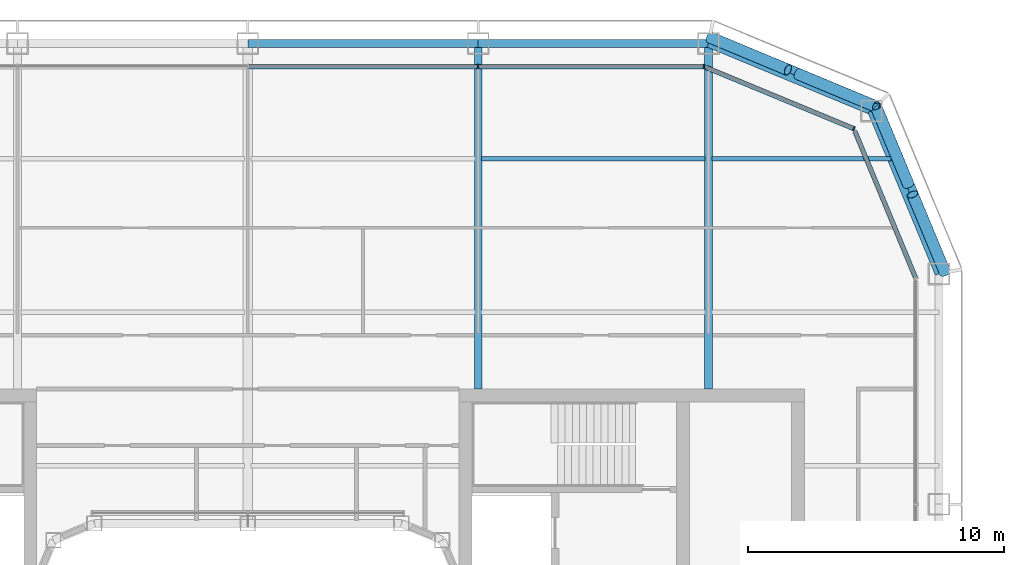
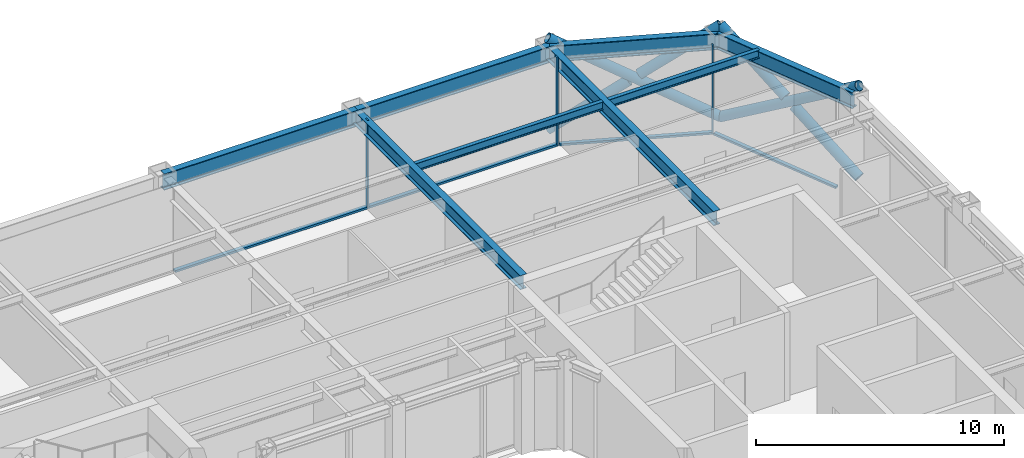
# One storey, part 10 of 22: 13 members, 8 beams, 3 elements without a shape of their own.
"""IFC4 building model written with IfcOpenShell, lengths in metres."""

from ifc_helpers import new_model, si_unit, direction, frame, origin, origin_2d, place, context, subcontext, project, spatial, rectangle, hollow_circle, i_section, extrude, material, layer, layer_set, material_profile, profile_set, type_object, element, aggregate, save


model = new_model("IFC4")

# Units and contexts
model_context = context("Model", 3, precision=1e-05, world=origin(), true_north=direction((0.0, 1.0)))
body_context = subcontext(model_context, "Body", "Model", "MODEL_VIEW")
ifc_project = project(units=[si_unit("LENGTHUNIT", "METRE"), si_unit("AREAUNIT", "SQUARE_METRE"), si_unit("VOLUMEUNIT", "CUBIC_METRE"), si_unit("PLANEANGLEUNIT", "RADIAN"), si_unit("MASSUNIT", "GRAM", prefix="KILO")], contexts=[model_context])

# Site, building, storey
site_placement = place(None, origin())
site = spatial("IfcSite", under=ifc_project, at=site_placement, CompositionType="ELEMENT")
building_placement = place(site_placement, origin())
building = spatial("IfcBuilding", under=site, at=building_placement, Name="Siwar Civic Tower", CompositionType="ELEMENT")
storey_placement = place(building_placement, frame((0.0, 0.0, 201.699951171875)))
storey = spatial("IfcBuildingStorey", under=building, at=storey_placement, Name="L43", CompositionType="ELEMENT", Elevation=201.699951171875)

# Curtain wall, member
ifc_material_1 = material(Name="Aluminium clad insulated panel", Category="aluminium")
ifc_layer_1 = layer(ifc_material_1, 0.179931640625)
ifc_layer_set_1 = layer_set([ifc_layer_1], Name="Aluminium clad insulated panel")
curtain_wall_type_1 = type_object("IfcCurtainWallType", Name="ENV-CW-CX", PredefinedType="NOTDEFINED", material=ifc_layer_set_1)
curtain_wall_1_placement = place(storey_placement, origin())
curtain_wall_1 = element("IfcCurtainWall", 1, at=curtain_wall_1_placement, inside=storey, type_object=curtain_wall_type_1, Name="Curtain wall C NE2", PredefinedType="NOTDEFINED")
ifc_material_2 = material(Name="Aluminium 6063-T6", Category="aluminium")
ifc_material_profile_1 = material_profile(ifc_material_2, rectangle(XDim=0.179931640625, YDim=0.06005859375, at=origin_2d()), Name="AL 180x60")
ifc_profile_set_1 = profile_set([ifc_material_profile_1], Name="Aluminium 6063-T6")
member_type_1 = type_object("IfcMemberType", Name="ENV-MULLION-C", PredefinedType="MULLION", material=ifc_profile_set_1)
member_1_placement = place(storey_placement, frame((23.675048828125, 23.675048828125, 0.0), z_axis=(0.0, 0.0, 1.0), x_axis=(-0.382683432365, -0.923879532511, 0.0)))
member_1 = element("IfcMember", 2, at=member_1_placement, type_object=member_type_1, Name="Mullion C NE2 1", PredefinedType="MULLION", context=body_context, shape_type="SweptSolid", body=[
    extrude(rectangle(XDim=0.179931640625, YDim=0.06005859375, at=origin_2d()), origin(), (0.0, 0.0, 1.0), 4.35009765625),
])

# Curtain wall, members
ifc_material_3 = material(Name="Aluminium and glass", Category="aluminium")
ifc_layer_2 = layer(ifc_material_3, 0.179931640625)
ifc_layer_set_2 = layer_set([ifc_layer_2], Name="Aluminium and glass")
curtain_wall_type_2 = type_object("IfcCurtainWallType", Name="ENV-CW-C", PredefinedType="NOTDEFINED", material=ifc_layer_set_2)
curtain_wall_2_placement = place(storey_placement, origin())
curtain_wall_2 = element("IfcCurtainWall", 3, at=curtain_wall_2_placement, inside=storey, type_object=curtain_wall_type_2, Name="Curtain wall C N", PredefinedType="NOTDEFINED")
member_2_placement = place(storey_placement, frame((17.821044921875, 26.10009765625, 0.0), z_axis=(0.0, 0.0, 1.0), x_axis=(0.0, -1.0, 0.0)))
member_2 = element("IfcMember", 4, at=member_2_placement, type_object=member_type_1, Name="Mullion C N 1", PredefinedType="MULLION", context=body_context, shape_type="SweptSolid", body=[
    extrude(rectangle(XDim=0.179931640625, YDim=0.06005859375, at=origin_2d()), origin(), (0.0, 0.0, 1.0), 4.35009765625),
])
member_3_placement = place(storey_placement, frame((9.0, 26.10009765625, 0.0), z_axis=(0.0, 0.0, 1.0), x_axis=(0.0, -1.0, 0.0)))
member_3 = element("IfcMember", 5, at=member_3_placement, type_object=member_type_1, Name="Mullion C N 2", PredefinedType="MULLION", context=body_context, shape_type="SweptSolid", body=[
    extrude(rectangle(XDim=0.179931640625, YDim=0.06005859375, at=origin_2d()), origin(), (0.0, 0.0, 1.0), 4.35009765625),
])

# Curtain wall, member
curtain_wall_3_placement = place(storey_placement, origin())
curtain_wall_3 = element("IfcCurtainWall", 6, at=curtain_wall_3_placement, inside=storey, type_object=curtain_wall_type_1, Name="Curtain wall C NE1", PredefinedType="NOTDEFINED")
ifc_material_4 = material(Name="Aluminium 6063-T6", Category="aluminium")
ifc_material_profile_2 = material_profile(ifc_material_4, rectangle(XDim=0.179931640625, YDim=0.10009765625, at=origin_2d()), Name="AL 180x100")
ifc_profile_set_2 = profile_set([ifc_material_profile_2], Name="Aluminium 6063-T6")
member_type_2 = type_object("IfcMemberType", Name="ENV-TRANSOM-C", PredefinedType="USERDEFINED", material=ifc_profile_set_2)
member_4_placement = place(storey_placement, frame((26.088623046875, 17.8486328125, 0.050048828125), z_axis=(-0.38267744817, 0.923882011223, 0.0), x_axis=(-0.923882011223, -0.38267744817, 0.0)))
member_4 = element("IfcMember", 7, at=member_4_placement, type_object=member_type_2, Name="Transom C NE1 1", ObjectType="TRANSOM", PredefinedType="USERDEFINED", context=body_context, shape_type="SweptSolid", body=[
    extrude(rectangle(XDim=0.179931640625, YDim=0.10009765625, at=origin_2d()), origin(), (0.0, 0.0, 1.0), 6.201904296875),
])
aggregate(curtain_wall_3, [member_4])

# Member
member_5_placement = place(storey_placement, frame((23.6474609375, 23.6865234375, 0.050048828125), z_axis=(-0.923876246063, 0.382691366456, 0.0), x_axis=(-0.382691366456, -0.923876246063, 0.0)))
member_5 = element("IfcMember", 8, at=member_5_placement, type_object=member_type_2, Name="Transom C NE2 1", ObjectType="TRANSOM", PredefinedType="USERDEFINED", context=body_context, shape_type="SweptSolid", body=[
    extrude(rectangle(XDim=0.179931640625, YDim=0.10009765625, at=origin_2d()), origin(), (0.0, 0.0, 1.0), 6.20166015625),
])

aggregate(curtain_wall_1, [member_1, member_5])

member_6_placement = place(storey_placement, frame((17.791015625, 26.10009765625, 0.050048828125), z_axis=(-1.0, 0.0, 0.0), x_axis=(0.0, -1.0, 0.0)))
member_6 = element("IfcMember", 9, at=member_6_placement, type_object=member_type_2, Name="Transom C N 1", ObjectType="TRANSOM", PredefinedType="USERDEFINED", context=body_context, shape_type="SweptSolid", body=[
    extrude(rectangle(XDim=0.179931640625, YDim=0.10009765625, at=origin_2d()), origin(), (0.0, 0.0, 1.0), 8.760986328125),
])

member_7_placement = place(storey_placement, frame((8.969970703125, 26.10009765625, 0.050048828125), z_axis=(-1.0, 0.0, 0.0), x_axis=(0.0, -1.0, 0.0)))
member_7 = element("IfcMember", 10, at=member_7_placement, type_object=member_type_2, Name="Transom C N 2", ObjectType="TRANSOM", PredefinedType="USERDEFINED", context=body_context, shape_type="SweptSolid", body=[
    extrude(rectangle(XDim=0.179931640625, YDim=0.10009765625, at=origin_2d()), origin(), (0.0, 0.0, 1.0), 8.93994140625),
])

aggregate(curtain_wall_2, [member_2, member_3, member_6, member_7])

# Members
ifc_material_5 = material(Name="Steel S355", Category="steel")
ifc_material_profile_3 = material_profile(ifc_material_5, hollow_circle(Radius=0.228515625, WallThickness=0.02001953125, at=origin_2d()), Name="CHS457x20")
ifc_profile_set_3 = profile_set([ifc_material_profile_3], Name="Steel S355")
member_type_3 = type_object("IfcMemberType", Name="STR-BR-CHS457x20", PredefinedType="BRACE", material=ifc_profile_set_3)
member_8_placement = place(storey_placement, frame((24.540771484375, 24.540771484375, 0.0), z_axis=(-0.777554562952, 0.323905527954, 0.538975055633), x_axis=(-0.384538969033, -0.923108759191, 0.0)))
element("IfcMember", 11, at=member_8_placement, inside=storey, type_object=member_type_3, Name="L43/brc/CNE1-3-0-1", PredefinedType="BRACE", context=body_context, shape_type="SweptSolid", body=[
    extrude(hollow_circle(Radius=0.228515625, WallThickness=0.02001953125, at=origin_2d()), origin(), (0.0, 0.0, 1.0), 8.34912109375),
])
for number, where, z_axis, x_axis, name in (
    (12, (18.048828125, 27.2451171875, 0.0), (0.777546448489, -0.323884455881, 0.538999424564), (0.38452107079, 0.92311621485, 0.0), "L43/brc/CNE1-3-0-2"),
    (13, (21.486572265625, 25.81298828125, 2.383056640625), (0.777572496853, -0.323895306243, 0.538955325357), (0.38452107079, 0.92311621485, 0.0), "L43/brc/CNE1-3-0-3"),
):
    element("IfcMember", number, at=place(storey_placement, frame(where, z_axis=z_axis, x_axis=x_axis)), inside=storey, type_object=member_type_3, Name=name, PredefinedType="BRACE", context=body_context, shape_type="SweptSolid", body=[
        extrude(hollow_circle(Radius=0.228515625, WallThickness=0.02001953125, at=origin_2d()), origin(), (0.0, 0.0, 1.0), 3.927978515625),
    ])
member_9_placement = place(storey_placement, frame((24.540771484375, 24.540771484375, 0.0), z_axis=(0.323905527954, -0.777554562952, 0.538975055633), x_axis=(0.923108759191, 0.384538969033, 0.0)))
element("IfcMember", 14, at=member_9_placement, inside=storey, type_object=member_type_3, Name="L43/brc/CNE1-3-0-0", PredefinedType="BRACE", context=body_context, shape_type="SweptSolid", body=[
    extrude(hollow_circle(Radius=0.228515625, WallThickness=0.02001953125, at=origin_2d()), origin(), (0.0, 0.0, 1.0), 8.34912109375),
])
for number, where, z_axis, x_axis, name in (
    (15, (27.2451171875, 18.048828125, 0.0), (-0.323884455881, 0.777546448489, 0.538999424564), (-0.92311621485, -0.38452107079, 0.0), "L43/brc/CNE1-3-0-4"),
    (16, (25.81298828125, 21.486572265625, 2.383056640625), (-0.323895306243, 0.777572496853, 0.538955325357), (-0.92311621485, -0.38452107079, 0.0), "L43/brc/CNE1-3-0-5"),
):
    element("IfcMember", number, at=place(storey_placement, frame(where, z_axis=z_axis, x_axis=x_axis)), inside=storey, type_object=member_type_3, Name=name, PredefinedType="BRACE", context=body_context, shape_type="SweptSolid", body=[
        extrude(hollow_circle(Radius=0.228515625, WallThickness=0.02001953125, at=origin_2d()), origin(), (0.0, 0.0, 1.0), 3.927978515625),
    ])

# Beams
ifc_material_6 = material(Name="Steel S355", Category="steel")
ifc_material_profile_4 = material_profile(ifc_material_6, i_section(OverallWidth=0.179931640625, OverallDepth=0.39990234375, WebThickness=0.008544921875, FlangeThickness=0.013427734375, FilletRadius=0.02099609375, at=origin_2d()), Name="IPE400")
ifc_profile_set_4 = profile_set([ifc_material_profile_4], Name="Steel S355")
beam_type_1 = type_object("IfcBeamType", Name="STR-FB-IPE400", PredefinedType="JOIST", material=ifc_profile_set_4)
beam_1_placement = place(storey_placement, frame((9.1298828125, 22.5, 4.150146484375), z_axis=(1.0, 0.0, 0.0), x_axis=(0.0, 1.0, 0.0)))
element("IfcBeam", 17, at=beam_1_placement, inside=storey, type_object=beam_type_1, Name="L43/bm/F041", PredefinedType="JOIST", context=body_context, shape_type="SweptSolid", body=[
    extrude(i_section(OverallWidth=0.179931640625, OverallDepth=0.39990234375, WebThickness=0.008544921875, FlangeThickness=0.013427734375, FilletRadius=0.02099609375, at=origin_2d()), origin(), (0.0, 0.0, 1.0), 8.740234375),
])
beam_2_placement = place(storey_placement, frame((18.1298828125, 22.5, 4.150146484375), z_axis=(1.0, 0.0, 0.0), x_axis=(0.0, 1.0, 0.0)))
element("IfcBeam", 18, at=beam_2_placement, inside=storey, type_object=beam_type_1, Name="L43/bm/F042", PredefinedType="JOIST", context=body_context, shape_type="SweptSolid", body=[
    extrude(i_section(OverallWidth=0.179931640625, OverallDepth=0.39990234375, WebThickness=0.008544921875, FlangeThickness=0.013427734375, FilletRadius=0.02099609375, at=origin_2d()), origin(), (0.0, 0.0, 1.0), 7.006103515625),
])
ifc_material_7 = material(Name="Steel S355", Category="steel")
ifc_material_profile_5 = material_profile(ifc_material_7, i_section(OverallWidth=0.300048828125, OverallDepth=0.699951171875, WebThickness=0.01708984375, FlangeThickness=0.031982421875, FilletRadius=0.027099609375, at=origin_2d()), Name="HEB700")
ifc_profile_set_5 = profile_set([ifc_material_profile_5], Name="Steel S355")
beam_type_2 = type_object("IfcBeamType", Name="STR-PG-HEB700", PredefinedType="BEAM", material=ifc_profile_set_5)
for number, where, z_axis, x_axis, name in (
    (19, (9.0, 13.5, 4.0), (0.0, 1.0, 0.0), (-1.0, 0.0, 0.0), "L43/bm/G08"),
    (20, (18.0, 13.5, 4.0), (0.0, 1.0, 0.0), (-1.0, 0.0, 0.0), "L43/bm/G10"),
):
    element("IfcBeam", number, at=place(storey_placement, frame(where, z_axis=z_axis, x_axis=x_axis)), inside=storey, type_object=beam_type_2, Name=name, PredefinedType="BEAM", context=body_context, shape_type="SweptSolid", body=[
        extrude(i_section(OverallWidth=0.300048828125, OverallDepth=0.699951171875, WebThickness=0.01708984375, FlangeThickness=0.031982421875, FilletRadius=0.027099609375, at=origin_2d()), origin(), (0.0, 0.0, 1.0), 13.5),
    ])
ifc_material_8 = material(Name="Steel S355", Category="steel")
ifc_material_profile_6 = material_profile(ifc_material_8, i_section(OverallWidth=0.300048828125, OverallDepth=0.800048828125, WebThickness=0.017578125, FlangeThickness=0.032958984375, FilletRadius=0.030029296875, at=origin_2d()), Name="HEB800")
ifc_profile_set_6 = profile_set([ifc_material_profile_6], Name="Steel S355")
beam_type_3 = type_object("IfcBeamType", Name="STR-SB-HEB800", PredefinedType="BEAM", material=ifc_profile_set_6)
for number, where, z_axis, x_axis, name in (
    (21, (27.0, 18.0, 3.949951171875), (-0.382674207535, 0.923883353507, 0.0), (-0.923883353507, -0.382674207535, 0.0), "L43/bm/SNE1-0"),
    (22, (24.364013671875, 24.364013671875, 3.949951171875), (-0.923883353507, 0.382674207535, 0.0), (-0.382674207535, -0.923883353507, 0.0), "L43/bm/SNE2-0"),
):
    element("IfcBeam", number, at=place(storey_placement, frame(where, z_axis=z_axis, x_axis=x_axis)), inside=storey, type_object=beam_type_3, Name=name, PredefinedType="BEAM", context=body_context, shape_type="SweptSolid", body=[
        extrude(i_section(OverallWidth=0.300048828125, OverallDepth=0.800048828125, WebThickness=0.017578125, FlangeThickness=0.032958984375, FilletRadius=0.030029296875, at=origin_2d()), origin(), (0.0, 0.0, 1.0), 6.888427734375),
    ])
for number, where, z_axis, x_axis, name in (
    (23, (18.0, 27.0, 3.949951171875), (-1.0, 0.0, 0.0), (0.0, -1.0, 0.0), "L43/bm/SN-0"),
    (24, (9.0, 27.0, 3.949951171875), (-1.0, 0.0, 0.0), (0.0, -1.0, 0.0), "L43/bm/SN-1"),
):
    element("IfcBeam", number, at=place(storey_placement, frame(where, z_axis=z_axis, x_axis=x_axis)), inside=storey, type_object=beam_type_3, Name=name, PredefinedType="BEAM", context=body_context, shape_type="SweptSolid", body=[
        extrude(i_section(OverallWidth=0.300048828125, OverallDepth=0.800048828125, WebThickness=0.017578125, FlangeThickness=0.032958984375, FilletRadius=0.030029296875, at=origin_2d()), origin(), (0.0, 0.0, 1.0), 9.0),
    ])

save(model, "model.ifc")
